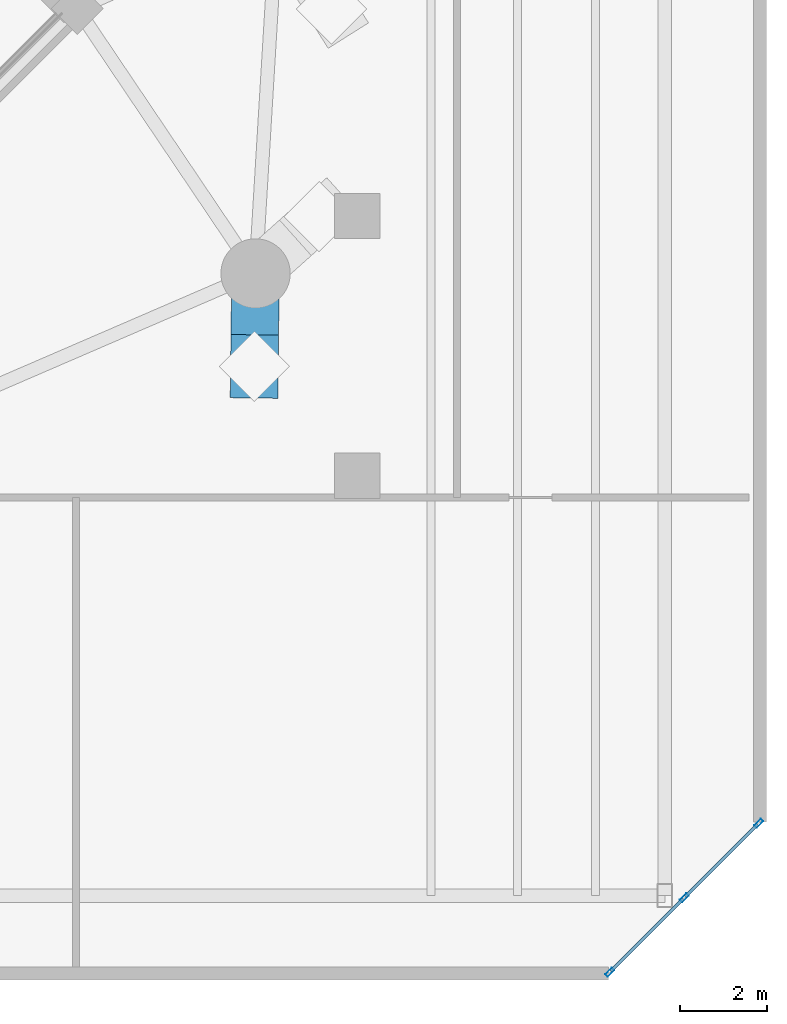
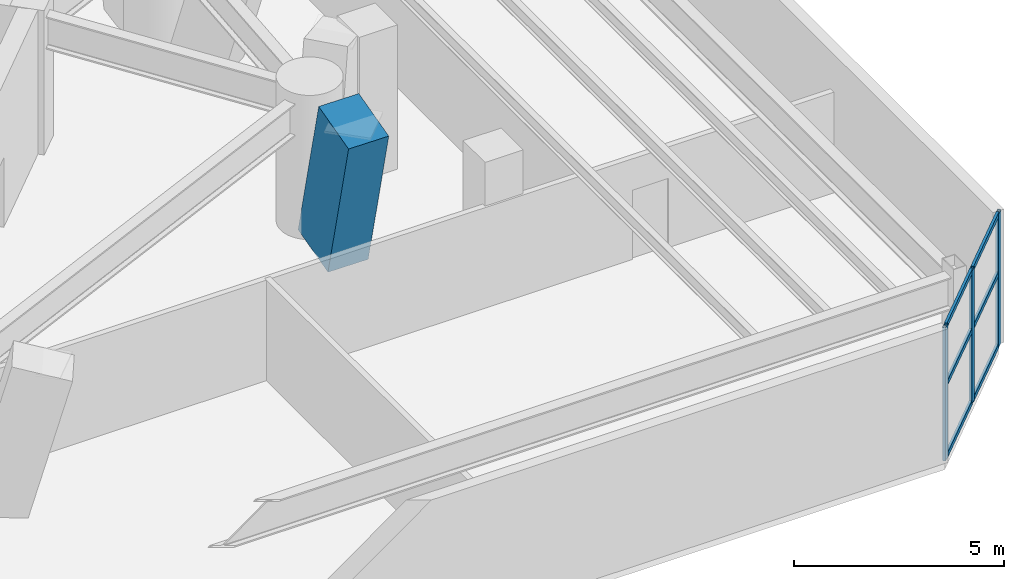
# One storey, part 7 of 20: 10 members, 1 element without a shape of its own.
"""IFC4 building model written with IfcOpenShell, lengths in metres."""

from ifc_helpers import new_model, si_unit, direction, frame, origin, origin_2d, place, context, subcontext, project, spatial, rectangle, hollow_rectangle, extrude, material, layer, layer_set, material_profile, profile_set, type_object, element, aggregate, save


model = new_model("IFC4")

# Units and contexts
model_context = context("Model", 3, precision=1e-05, world=origin(), true_north=direction((0.0, 1.0)))
body_context = subcontext(model_context, "Body", "Model", "MODEL_VIEW")
ifc_project = project(units=[si_unit("LENGTHUNIT", "METRE"), si_unit("AREAUNIT", "SQUARE_METRE"), si_unit("VOLUMEUNIT", "CUBIC_METRE"), si_unit("PLANEANGLEUNIT", "RADIAN"), si_unit("MASSUNIT", "GRAM", prefix="KILO")], contexts=[model_context])

# Site, building, storey
site_placement = place(None, origin())
site = spatial("IfcSite", under=ifc_project, at=site_placement, CompositionType="ELEMENT")
building_placement = place(site_placement, origin())
building = spatial("IfcBuilding", under=site, at=building_placement, Name="Cununo Teusaquillo Station Towers", CompositionType="ELEMENT")
storey_placement = place(building_placement, frame((0.0, 0.0, 4.800048828125)))
storey = spatial("IfcBuildingStorey", under=building, at=storey_placement, Name="L01", CompositionType="ELEMENT", Elevation=4.800048828125)

# Curtain wall, members
ifc_material_1 = material(Name="Ceramic-fritted dark low-E double glazing", Category="glass")
ifc_layer = layer(ifc_material_1, 0.179931640625)
ifc_layer_set = layer_set([ifc_layer], Name="Ceramic-fritted dark low-E double glazing")
curtain_wall_type = type_object("IfcCurtainWallType", Name="CW-SYS-01", PredefinedType="USERDEFINED", material=ifc_layer_set)
curtain_wall_placement = place(storey_placement, origin())
curtain_wall = element("IfcCurtainWall", 1, at=curtain_wall_placement, inside=storey, type_object=curtain_wall_type, Name="L01 Station Podium Corner Curtain Wall 6", ObjectType="FRITTED GLAZING", PredefinedType="USERDEFINED")
ifc_material_2 = material(Name="Anodised dark bronze aluminium EN AW-6063-T6", Category="aluminium")
ifc_material_profile_1 = material_profile(ifc_material_2, hollow_rectangle(XDim=0.080078125, YDim=0.219970703125, WallThickness=0.0048828125, at=origin_2d()), Name="CW-MULL-80x220")
ifc_profile_set_1 = profile_set([ifc_material_profile_1], Name="Anodised dark bronze aluminium EN AW-6063-T6")
member_type_1 = type_object("IfcMemberType", Name="CWM-220", PredefinedType="MULLION", material=ifc_profile_set_1)
member_1_placement = place(storey_placement, frame((81.771728515625, 4.4716796875, 0.0), z_axis=(0.0, 0.0, 1.0), x_axis=(0.707106781187, -0.707106781187, 0.0)))
member_1 = element("IfcMember", 2, at=member_1_placement, type_object=member_type_1, Name="CW-01 mullion 1", PredefinedType="MULLION", context=body_context, shape_type="SweptSolid", body=[
    extrude(hollow_rectangle(XDim=0.080078125, YDim=0.219970703125, WallThickness=0.0048828125, at=origin_2d()), origin(), (0.0, 0.0, 1.0), 3.885009765625),
])
member_2_placement = place(storey_placement, frame((80.050048828125, 2.75, 0.0), z_axis=(0.0, 0.0, 1.0), x_axis=(0.707106781187, -0.707106781187, 0.0)))
member_2 = element("IfcMember", 3, at=member_2_placement, type_object=member_type_1, Name="CW-01 mullion 2", PredefinedType="MULLION", context=body_context, shape_type="SweptSolid", body=[
    extrude(hollow_rectangle(XDim=0.080078125, YDim=0.219970703125, WallThickness=0.0048828125, at=origin_2d()), origin(), (0.0, 0.0, 1.0), 3.885009765625),
])
member_3_placement = place(storey_placement, frame((78.328369140625, 1.0283203125, 0.0), z_axis=(0.0, 0.0, 1.0), x_axis=(0.707106781187, -0.707106781187, 0.0)))
member_3 = element("IfcMember", 4, at=member_3_placement, type_object=member_type_1, Name="CW-01 mullion 3", PredefinedType="MULLION", context=body_context, shape_type="SweptSolid", body=[
    extrude(hollow_rectangle(XDim=0.080078125, YDim=0.219970703125, WallThickness=0.0048828125, at=origin_2d()), origin(), (0.0, 0.0, 1.0), 3.885009765625),
])
ifc_material_3 = material(Name="Anodised dark bronze aluminium EN AW-6063-T6", Category="aluminium")
ifc_material_profile_2 = material_profile(ifc_material_3, hollow_rectangle(XDim=0.070068359375, YDim=0.139892578125, WallThickness=0.00390625, at=origin_2d()), Name="CW-TRAN-70x140")
ifc_profile_set_2 = profile_set([ifc_material_profile_2], Name="Anodised dark bronze aluminium EN AW-6063-T6")
member_type_2 = type_object("IfcMemberType", Name="CWT-140", PredefinedType="USERDEFINED", material=ifc_profile_set_2)
member_4_placement = place(storey_placement, frame((81.743408203125, 4.443359375, 0.034912109375), z_axis=(-0.707106781187, -0.707106781187, 0.0), x_axis=(0.707106781187, -0.707106781187, 0.0)))
member_4 = element("IfcMember", 5, at=member_4_placement, type_object=member_type_2, Name="CW-01 transom 1.1", ObjectType="TRANSOM", PredefinedType="USERDEFINED", context=body_context, shape_type="SweptSolid", body=[
    extrude(hollow_rectangle(XDim=0.070068359375, YDim=0.139892578125, WallThickness=0.00390625, at=origin_2d()), origin(), (0.0, 0.0, 1.0), 2.354736328125),
])
member_5_placement = place(storey_placement, frame((81.743408203125, 4.443359375, 2.136962890625), z_axis=(-0.707106781187, -0.707106781187, 0.0), x_axis=(0.707106781187, -0.707106781187, 0.0)))
member_5 = element("IfcMember", 6, at=member_5_placement, type_object=member_type_2, Name="CW-01 transom 1.2", ObjectType="TRANSOM", PredefinedType="USERDEFINED", context=body_context, shape_type="SweptSolid", body=[
    extrude(hollow_rectangle(XDim=0.070068359375, YDim=0.139892578125, WallThickness=0.00390625, at=origin_2d()), origin(), (0.0, 0.0, 1.0), 2.354736328125),
])
member_6_placement = place(storey_placement, frame((81.743408203125, 4.443359375, 3.849853515625), z_axis=(-0.707106781187, -0.707106781187, 0.0), x_axis=(0.707106781187, -0.707106781187, 0.0)))
member_6 = element("IfcMember", 7, at=member_6_placement, type_object=member_type_2, Name="CW-01 transom 1.3", ObjectType="TRANSOM", PredefinedType="USERDEFINED", context=body_context, shape_type="SweptSolid", body=[
    extrude(hollow_rectangle(XDim=0.070068359375, YDim=0.139892578125, WallThickness=0.00390625, at=origin_2d()), origin(), (0.0, 0.0, 1.0), 2.354736328125),
])
member_7_placement = place(storey_placement, frame((80.021728515625, 2.7216796875, 0.034912109375), z_axis=(-0.707106781187, -0.707106781187, 0.0), x_axis=(0.707106781187, -0.707106781187, 0.0)))
member_7 = element("IfcMember", 8, at=member_7_placement, type_object=member_type_2, Name="CW-01 transom 2.1", ObjectType="TRANSOM", PredefinedType="USERDEFINED", context=body_context, shape_type="SweptSolid", body=[
    extrude(hollow_rectangle(XDim=0.070068359375, YDim=0.139892578125, WallThickness=0.00390625, at=origin_2d()), origin(), (0.0, 0.0, 1.0), 2.354736328125),
])
member_8_placement = place(storey_placement, frame((80.021728515625, 2.7216796875, 2.136962890625), z_axis=(-0.707106781187, -0.707106781187, 0.0), x_axis=(0.707106781187, -0.707106781187, 0.0)))
member_8 = element("IfcMember", 9, at=member_8_placement, type_object=member_type_2, Name="CW-01 transom 2.2", ObjectType="TRANSOM", PredefinedType="USERDEFINED", context=body_context, shape_type="SweptSolid", body=[
    extrude(hollow_rectangle(XDim=0.070068359375, YDim=0.139892578125, WallThickness=0.00390625, at=origin_2d()), origin(), (0.0, 0.0, 1.0), 2.354736328125),
])
member_9_placement = place(storey_placement, frame((80.021728515625, 2.7216796875, 3.849853515625), z_axis=(-0.707106781187, -0.707106781187, 0.0), x_axis=(0.707106781187, -0.707106781187, 0.0)))
member_9 = element("IfcMember", 10, at=member_9_placement, type_object=member_type_2, Name="CW-01 transom 2.3", ObjectType="TRANSOM", PredefinedType="USERDEFINED", context=body_context, shape_type="SweptSolid", body=[
    extrude(hollow_rectangle(XDim=0.070068359375, YDim=0.139892578125, WallThickness=0.00390625, at=origin_2d()), origin(), (0.0, 0.0, 1.0), 2.354736328125),
])
aggregate(curtain_wall, [member_1, member_2, member_3, member_4, member_5, member_6, member_7, member_8, member_9])

# Member
ifc_material_4 = material(Name="Concrete C60/75", Category="concrete")
ifc_material_profile_3 = material_profile(ifc_material_4, rectangle(XDim=1.10009765625, YDim=1.5, at=origin_2d()), Name="RC-RECT-1500x1100")
ifc_profile_set_3 = profile_set([ifc_material_profile_3], Name="Concrete C60/75")
member_type_3 = type_object("IfcMemberType", Name="MBR-VFOOT", PredefinedType="USERDEFINED", material=ifc_profile_set_3)
member_10_placement = place(storey_placement, frame((70.131591796875, 16.027099609375, 0.0), z_axis=(-0.002940090479, -0.23221060763, 0.972661086696), x_axis=(0.999919855251, -0.012660295221, 0.0)))
element("IfcMember", 11, at=member_10_placement, inside=storey, type_object=member_type_3, Name="L01 Tower B Sloping Concrete V-Foot V16L", ObjectType="V FOOT STRUT", PredefinedType="USERDEFINED", context=body_context, shape_type="SweptSolid", body=[
    extrude(rectangle(XDim=1.10009765625, YDim=1.5, at=origin_2d()), origin(), (0.0, 0.0, 1.0), 4.318115234375),
])

save(model, "model.ifc")
